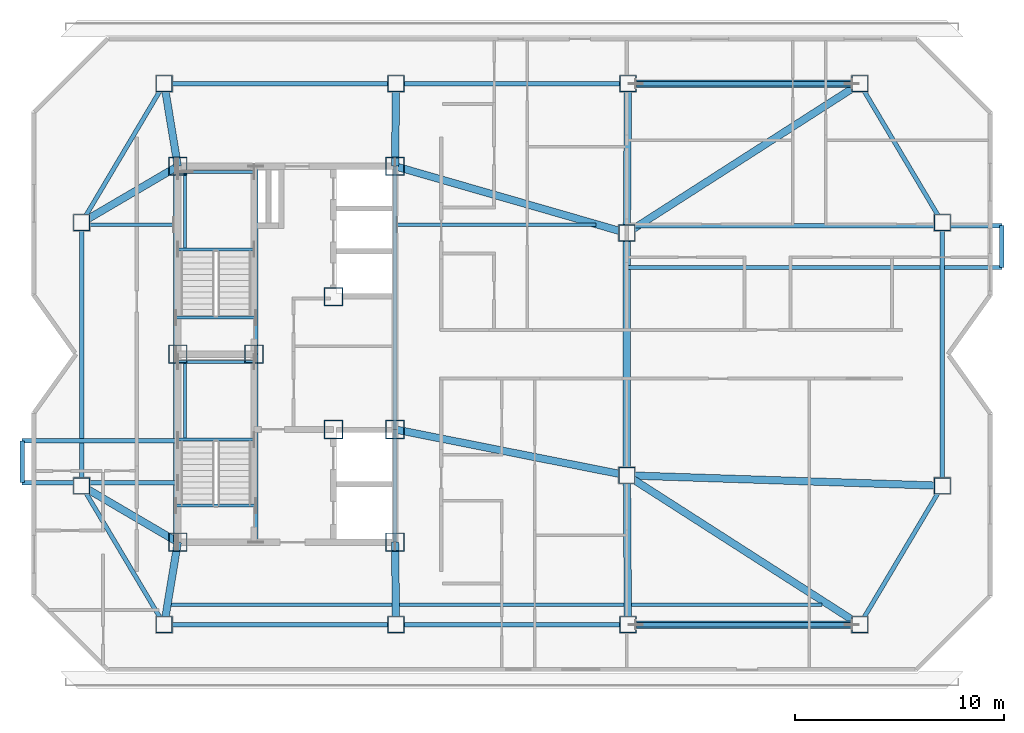
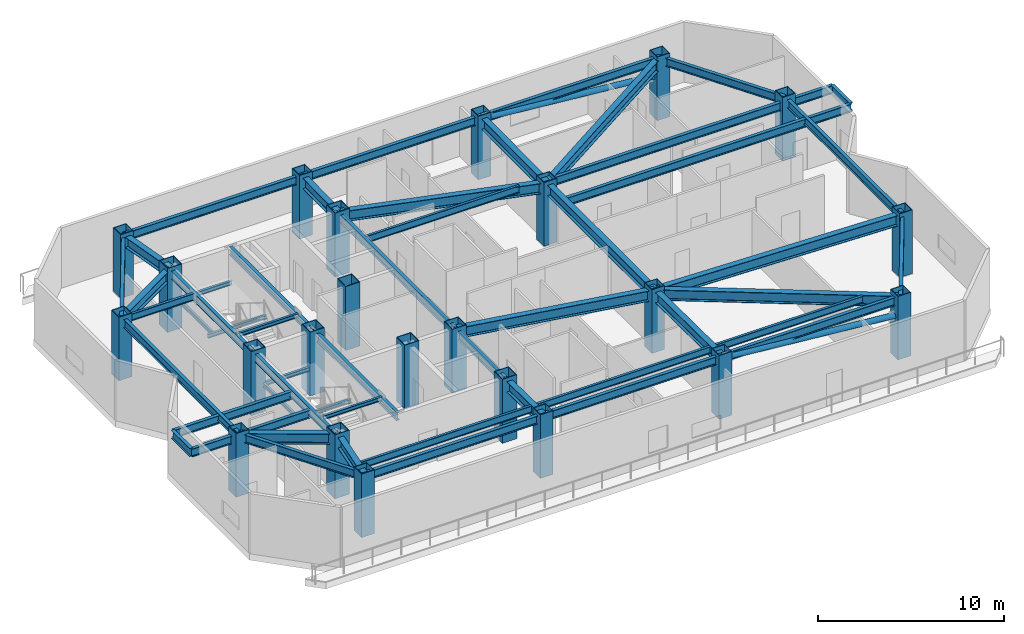
# One storey, part 1 of 11: 51 beams, 23 columns, 2 members.
"""IFC4 building model written with IfcOpenShell, lengths in metres."""

from ifc_helpers import new_model, si_unit, direction, frame, origin, origin_2d, place, context, subcontext, project, spatial, hollow_rectangle, hollow_circle, i_section, extrude, material, material_profile, profile_set, type_object, element, save


model = new_model("IFC4")

# Units and contexts
model_context = context("Model", 3, precision=1e-05, world=origin(), true_north=direction((0.0, 1.0)))
body_context = subcontext(model_context, "Body", "Model", "MODEL_VIEW")
ifc_project = project(units=[si_unit("LENGTHUNIT", "METRE"), si_unit("AREAUNIT", "SQUARE_METRE"), si_unit("VOLUMEUNIT", "CUBIC_METRE"), si_unit("PLANEANGLEUNIT", "RADIAN"), si_unit("MASSUNIT", "GRAM", prefix="KILO")], contexts=[model_context])

# Site, building, storey
site_placement = place(None, origin())
site = spatial("IfcSite", under=ifc_project, at=site_placement, CompositionType="ELEMENT")
building_placement = place(site_placement, origin())
building = spatial("IfcBuilding", under=site, at=building_placement, Name="Khamvora Tower", CompositionType="ELEMENT")
storey_placement = place(building_placement, frame((0.0, 0.0, 269.449951171875)))
storey = spatial("IfcBuildingStorey", under=building, at=storey_placement, Name="L69", CompositionType="ELEMENT", Elevation=269.449951171875)

# Columns
ifc_material_1 = material(Name="Steel S355", Category="steel")
ifc_material_profile_1 = material_profile(ifc_material_1, hollow_rectangle(XDim=0.800048828125, YDim=0.800048828125, WallThickness=0.0400390625, at=origin_2d()), Name="BOX800x800x40")
ifc_profile_set_1 = profile_set([ifc_material_profile_1], Name="Steel S355")
column_type_1 = type_object("IfcColumnType", Name="COL-BOX800", PredefinedType="COLUMN", material=ifc_profile_set_1)
for number, where, z_axis, x_axis, name in (
    (1, (28.35009765625, 15.050048828125, 0.025146484375), (0.0, 0.0, 1.0), (1.0, 0.0, 0.0), "L69 structural frame column S1"),
    (2, (39.449951171875, 15.050048828125, 0.025146484375), (0.0, 0.0, 1.0), (1.0, 0.0, 0.0), "L69 structural frame column S2"),
    (3, (50.550048828125, 15.050048828125, 0.025146484375), (0.0, 0.0, 1.0), (1.0, 0.0, 0.0), "L69 structural frame column S3"),
    (4, (61.64990234375, 15.050048828125, 0.025146484375), (0.0, 0.0, 1.0), (1.0, 0.0, 0.0), "L69 structural frame column S4"),
    (5, (28.35009765625, 40.949951171875, 0.025146484375), (0.0, 0.0, 1.0), (1.0, 0.0, 0.0), "L69 structural frame column N1"),
    (6, (39.449951171875, 40.949951171875, 0.025146484375), (0.0, 0.0, 1.0), (1.0, 0.0, 0.0), "L69 structural frame column N2"),
    (7, (50.550048828125, 40.949951171875, 0.025146484375), (0.0, 0.0, 1.0), (1.0, 0.0, 0.0), "L69 structural frame column N3"),
    (8, (61.64990234375, 40.949951171875, 0.025146484375), (0.0, 0.0, 1.0), (1.0, 0.0, 0.0), "L69 structural frame column N4"),
    (9, (24.39990234375, 21.699951171875, 0.025146484375), (0.0, 0.0, 1.0), (1.0, 0.0, 0.0), "L69 structural frame column W1"),
    (10, (24.39990234375, 34.300048828125, 0.025146484375), (0.0, 0.0, 1.0), (1.0, 0.0, 0.0), "L69 structural frame column W2"),
    (11, (65.60009765625, 21.699951171875, 0.025146484375), (0.0, 0.0, 1.0), (1.0, 0.0, 0.0), "L69 structural frame column E1"),
    (12, (65.60009765625, 34.300048828125, 0.025146484375), (0.0, 0.0, 1.0), (1.0, 0.0, 0.0), "L69 structural frame column E2"),
    (13, (50.5, 22.199951171875, 0.025146484375), (0.0, 0.0, 1.0), (1.0, 0.0, 0.0), "L69 structural frame column M1"),
    (14, (50.5, 33.800048828125, 0.025146484375), (0.0, 0.0, 1.0), (1.0, 0.0, 0.0), "L69 structural frame column M2"),
):
    element("IfcColumn", number, at=place(storey_placement, frame(where, z_axis=z_axis, x_axis=x_axis)), inside=storey, type_object=column_type_1, Name=name, PredefinedType="COLUMN", context=body_context, shape_type="SweptSolid", body=[
        extrude(hollow_rectangle(XDim=0.800048828125, YDim=0.800048828125, WallThickness=0.0400390625, at=origin_2d()), origin(), (0.0, 0.0, 1.0), 4.1748046875),
    ])
ifc_material_2 = material(Name="Structural Steel S460ML", Category="steel")
ifc_material_profile_2 = material_profile(ifc_material_2, hollow_rectangle(XDim=0.89990234375, YDim=0.89990234375, WallThickness=0.044921875, at=origin_2d()), Name="BOX900x900x45")
ifc_profile_set_2 = profile_set([ifc_material_profile_2], Name="Structural Steel S460ML")
column_type_2 = type_object("IfcColumnType", Name="COL-SC-BOX900", PredefinedType="COLUMN", material=ifc_profile_set_2)
for number, where, z_axis, x_axis, name in (
    (15, (29.0, 19.0, 0.0), (0.0, 0.0, 1.0), (1.0, 0.0, 0.0), "L69 plumb core spine column SC1"),
    (16, (32.64990234375, 28.0, 0.0), (0.0, 0.0, 1.0), (1.0, 0.0, 0.0), "L69 plumb core spine column SC2"),
    (17, (39.39990234375, 19.0, 0.0), (0.0, 0.0, 1.0), (1.0, 0.0, 0.0), "L69 plumb core spine column SC3"),
    (18, (29.0, 28.0, 0.0), (0.0, 0.0, 1.0), (1.0, 0.0, 0.0), "L69 plumb core spine column SC4"),
    (19, (36.449951171875, 24.39990234375, 0.0), (0.0, 0.0, 1.0), (1.0, 0.0, 0.0), "L69 plumb core spine column SC5"),
    (20, (39.39990234375, 24.39990234375, 0.0), (0.0, 0.0, 1.0), (1.0, 0.0, 0.0), "L69 plumb core spine column SC6"),
    (21, (29.0, 37.0, 0.0), (0.0, 0.0, 1.0), (1.0, 0.0, 0.0), "L69 plumb core spine column SC7"),
    (22, (36.449951171875, 30.75, 0.0), (0.0, 0.0, 1.0), (1.0, 0.0, 0.0), "L69 plumb core spine column SC8"),
    (23, (39.39990234375, 37.0, 0.0), (0.0, 0.0, 1.0), (1.0, 0.0, 0.0), "L69 plumb core spine column SC9"),
):
    element("IfcColumn", number, at=place(storey_placement, frame(where, z_axis=z_axis, x_axis=x_axis)), inside=storey, type_object=column_type_2, Name=name, PredefinedType="COLUMN", context=body_context, shape_type="SweptSolid", body=[
        extrude(hollow_rectangle(XDim=0.89990234375, YDim=0.89990234375, WallThickness=0.044921875, at=origin_2d()), origin(), (0.0, 0.0, 1.0), 4.199951171875),
    ])

# Beams
ifc_material_profile_3 = material_profile(ifc_material_1, i_section(OverallWidth=0.154052734375, OverallDepth=0.458984375, WebThickness=0.009033203125, FlangeThickness=0.014892578125, FilletRadius=0.011962890625, at=origin_2d()), Name="W460x68")
ifc_profile_set_3 = profile_set([ifc_material_profile_3], Name="Steel S355")
beam_type_1 = type_object("IfcBeamType", Name="BM-JS-W460x68", PredefinedType="JOIST", material=ifc_profile_set_3)
beam_1_placement = place(storey_placement, frame((28.680908203125, 16.0, 3.720947265625), z_axis=(1.0, 0.0, 0.0), x_axis=(0.0, 1.0, 0.0)))
element("IfcBeam", 24, at=beam_1_placement, inside=storey, type_object=beam_type_1, Name="L69 secondary floor joist 01", PredefinedType="JOIST", context=body_context, shape_type="SweptSolid", body=[
    extrude(i_section(OverallWidth=0.154052734375, OverallDepth=0.458984375, WebThickness=0.009033203125, FlangeThickness=0.014892578125, FilletRadius=0.011962890625, at=origin_2d()), origin(), (0.0, 0.0, 1.0), 10.583984375),
])
beam_2_placement = place(storey_placement, frame((39.610107421875, 16.0, 3.720947265625), z_axis=(1.0, 0.0, 0.0), x_axis=(0.0, 1.0, 0.0)))
element("IfcBeam", 25, at=beam_2_placement, inside=storey, type_object=beam_type_1, Name="L69 secondary floor joist 02", PredefinedType="JOIST", context=body_context, shape_type="SweptSolid", body=[
    extrude(i_section(OverallWidth=0.154052734375, OverallDepth=0.458984375, WebThickness=0.009033203125, FlangeThickness=0.014892578125, FilletRadius=0.011962890625, at=origin_2d()), origin(), (0.0, 0.0, 1.0), 10.760986328125),
])
beam_3_placement = place(storey_placement, frame((50.716064453125, 16.0, 3.720947265625), z_axis=(1.0, 0.0, 0.0), x_axis=(0.0, 1.0, 0.0)))
element("IfcBeam", 26, at=beam_3_placement, inside=storey, type_object=beam_type_1, Name="L69 secondary floor joist 03", PredefinedType="JOIST", context=body_context, shape_type="SweptSolid", body=[
    extrude(i_section(OverallWidth=0.154052734375, OverallDepth=0.458984375, WebThickness=0.009033203125, FlangeThickness=0.014892578125, FilletRadius=0.011962890625, at=origin_2d()), origin(), (0.0, 0.0, 1.0), 9.12890625),
])
beam_4_placement = place(storey_placement, frame((24.74609375, 34.199951171875, 3.720947265625), z_axis=(1.0, 0.0, 0.0), x_axis=(0.0, 1.0, 0.0)))
element("IfcBeam", 27, at=beam_4_placement, inside=storey, type_object=beam_type_1, Name="L69 secondary floor joist 04", PredefinedType="JOIST", context=body_context, shape_type="SweptSolid", body=[
    extrude(i_section(OverallWidth=0.154052734375, OverallDepth=0.458984375, WebThickness=0.009033203125, FlangeThickness=0.014892578125, FilletRadius=0.011962890625, at=origin_2d()), origin(), (0.0, 0.0, 1.0), 4.053955078125),
])
beam_5_placement = place(storey_placement, frame((39.4990234375, 34.199951171875, 3.720947265625), z_axis=(1.0, 0.0, 0.0), x_axis=(0.0, 1.0, 0.0)))
element("IfcBeam", 28, at=beam_5_placement, inside=storey, type_object=beam_type_1, Name="L69 secondary floor joist 05", PredefinedType="JOIST", context=body_context, shape_type="SweptSolid", body=[
    extrude(i_section(OverallWidth=0.154052734375, OverallDepth=0.458984375, WebThickness=0.009033203125, FlangeThickness=0.014892578125, FilletRadius=0.011962890625, at=origin_2d()), origin(), (0.0, 0.0, 1.0), 9.51806640625),
])
ifc_material_profile_4 = material_profile(ifc_material_1, i_section(OverallWidth=0.14697265625, OverallDepth=0.261962890625, WebThickness=0.007080078125, FlangeThickness=0.010986328125, FilletRadius=0.008056640625, at=origin_2d()), Name="W250x39")
ifc_profile_set_4 = profile_set([ifc_material_profile_4], Name="Steel S355")
beam_type_2 = type_object("IfcBeamType", Name="BM-LN-W250x39", PredefinedType="LINTEL", material=ifc_profile_set_4)
for number, where, z_axis, x_axis, name in (
    (29, (29.0, 23.9150390625, 1.76904296875), (1.0, 0.0, 0.0), (0.0, 1.0, 0.0), "L69 ST-01 half-landing support beam 1.1"),
    (30, (29.0, 27.6298828125, 1.76904296875), (1.0, 0.0, 0.0), (0.0, 1.0, 0.0), "L69 ST-01 half-landing support beam 1.2"),
):
    element("IfcBeam", number, at=place(storey_placement, frame(where, z_axis=z_axis, x_axis=x_axis)), inside=storey, type_object=beam_type_2, Name=name, PredefinedType="LINTEL", context=body_context, shape_type="SweptSolid", body=[
        extrude(i_section(OverallWidth=0.14697265625, OverallDepth=0.261962890625, WebThickness=0.007080078125, FlangeThickness=0.010986328125, FilletRadius=0.008056640625, at=origin_2d()), origin(), (0.0, 0.0, 1.0), 3.64990234375),
    ])
beam_6_placement = place(storey_placement, frame((29.35009765625, 23.9150390625, 1.76904296875), z_axis=(0.0, 1.0, 0.0), x_axis=(-1.0, 0.0, 0.0)))
element("IfcBeam", 31, at=beam_6_placement, inside=storey, type_object=beam_type_2, Name="L69 ST-01 half-landing edge stringer 1", PredefinedType="LINTEL", context=body_context, shape_type="SweptSolid", body=[
    extrude(i_section(OverallWidth=0.14697265625, OverallDepth=0.261962890625, WebThickness=0.007080078125, FlangeThickness=0.010986328125, FilletRadius=0.008056640625, at=origin_2d()), origin(), (0.0, 0.0, 1.0), 3.71484375),
])
for number, where, z_axis, x_axis, name in (
    (32, (29.0, 33.014892578125, 1.76904296875), (1.0, 0.0, 0.0), (0.0, 1.0, 0.0), "L69 ST-02 half-landing support beam 1.1"),
    (33, (29.0, 36.72998046875, 1.76904296875), (1.0, 0.0, 0.0), (0.0, 1.0, 0.0), "L69 ST-02 half-landing support beam 1.2"),
):
    element("IfcBeam", number, at=place(storey_placement, frame(where, z_axis=z_axis, x_axis=x_axis)), inside=storey, type_object=beam_type_2, Name=name, PredefinedType="LINTEL", context=body_context, shape_type="SweptSolid", body=[
        extrude(i_section(OverallWidth=0.14697265625, OverallDepth=0.261962890625, WebThickness=0.007080078125, FlangeThickness=0.010986328125, FilletRadius=0.008056640625, at=origin_2d()), origin(), (0.0, 0.0, 1.0), 3.64990234375),
    ])
beam_7_placement = place(storey_placement, frame((29.35009765625, 33.014892578125, 1.76904296875), z_axis=(0.0, 1.0, 0.0), x_axis=(-1.0, 0.0, 0.0)))
element("IfcBeam", 34, at=beam_7_placement, inside=storey, type_object=beam_type_2, Name="L69 ST-02 half-landing edge stringer 1", PredefinedType="LINTEL", context=body_context, shape_type="SweptSolid", body=[
    extrude(i_section(OverallWidth=0.14697265625, OverallDepth=0.261962890625, WebThickness=0.007080078125, FlangeThickness=0.010986328125, FilletRadius=0.008056640625, at=origin_2d()), origin(), (0.0, 0.0, 1.0), 3.715087890625),
])
for number, where, z_axis, x_axis, name in (
    (35, (28.89990234375, 20.75, 3.823974609375), (1.0, 0.0, 0.0), (0.0, 1.0, 0.0), "L69 exit stair ST-01 landing trimmer beam"),
    (36, (28.89990234375, 29.75, 3.823974609375), (1.0, 0.0, 0.0), (0.0, 1.0, 0.0), "L69 exit stair ST-02 landing trimmer beam"),
):
    element("IfcBeam", number, at=place(storey_placement, frame(where, z_axis=z_axis, x_axis=x_axis)), inside=storey, type_object=beam_type_2, Name=name, PredefinedType="LINTEL", context=body_context, shape_type="SweptSolid", body=[
        extrude(i_section(OverallWidth=0.14697265625, OverallDepth=0.261962890625, WebThickness=0.007080078125, FlangeThickness=0.010986328125, FilletRadius=0.008056640625, at=origin_2d()), origin(), (0.0, 0.0, 1.0), 3.830078125),
    ])
ifc_material_profile_5 = material_profile(ifc_material_1, i_section(OverallWidth=0.35498046875, OverallDepth=0.695068359375, WebThickness=0.014892578125, FlangeThickness=0.02490234375, FilletRadius=0.01611328125, at=origin_2d()), Name="W690x217")
ifc_profile_set_5 = profile_set([ifc_material_profile_5], Name="Steel S355")
beam_type_3 = type_object("IfcBeamType", Name="BM-PG-W690x217", PredefinedType="BEAM", material=ifc_profile_set_5)
beam_8_placement = place(storey_placement, frame((50.5, 22.199951171875, 3.60205078125), z_axis=(0.0, 1.0, 0.0), x_axis=(-1.0, 0.0, 0.0)))
element("IfcBeam", 37, at=beam_8_placement, inside=storey, type_object=beam_type_3, Name="L69 longitudinal frame girder M1-M2", PredefinedType="BEAM", context=body_context, shape_type="SweptSolid", body=[
    extrude(i_section(OverallWidth=0.35498046875, OverallDepth=0.695068359375, WebThickness=0.014892578125, FlangeThickness=0.02490234375, FilletRadius=0.01611328125, at=origin_2d()), origin(), (0.0, 0.0, 1.0), 11.60009765625),
])
beam_9_placement = place(storey_placement, frame((29.0, 19.0, 3.60205078125), z_axis=(-0.162351397496, -0.986733005291, 0.0), x_axis=(0.986733005291, -0.162351397496, 0.0)))
element("IfcBeam", 38, at=beam_9_placement, inside=storey, type_object=beam_type_3, Name="L69 primary floor girder S1", PredefinedType="BEAM", context=body_context, shape_type="SweptSolid", body=[
    extrude(i_section(OverallWidth=0.35498046875, OverallDepth=0.695068359375, WebThickness=0.014892578125, FlangeThickness=0.02490234375, FilletRadius=0.01611328125, at=origin_2d()), origin(), (0.0, 0.0, 1.0), 4.003173828125),
])
beam_10_placement = place(storey_placement, frame((39.39990234375, 19.0, 3.60205078125), z_axis=(0.012669729021, -0.999919735762, 0.0), x_axis=(0.999919735762, 0.012669729021, 0.0)))
element("IfcBeam", 39, at=beam_10_placement, inside=storey, type_object=beam_type_3, Name="L69 primary floor girder S2", PredefinedType="BEAM", context=body_context, shape_type="SweptSolid", body=[
    extrude(i_section(OverallWidth=0.35498046875, OverallDepth=0.695068359375, WebThickness=0.014892578125, FlangeThickness=0.02490234375, FilletRadius=0.01611328125, at=origin_2d()), origin(), (0.0, 0.0, 1.0), 3.9501953125),
])
beam_11_placement = place(storey_placement, frame((50.5, 22.199951171875, 3.60205078125), z_axis=(0.006999760219, -0.999975501378, 0.0), x_axis=(0.999975501378, 0.006999760219, 0.0)))
element("IfcBeam", 40, at=beam_11_placement, inside=storey, type_object=beam_type_3, Name="L69 primary floor girder S3", PredefinedType="BEAM", context=body_context, shape_type="SweptSolid", body=[
    extrude(i_section(OverallWidth=0.35498046875, OverallDepth=0.695068359375, WebThickness=0.014892578125, FlangeThickness=0.02490234375, FilletRadius=0.01611328125, at=origin_2d()), origin(), (0.0, 0.0, 1.0), 7.150146484375),
])
beam_12_placement = place(storey_placement, frame((50.5, 22.199951171875, 3.60205078125), z_axis=(0.841792378856, -0.539801436549, 0.0), x_axis=(0.539801436549, 0.841792378856, 0.0)))
element("IfcBeam", 41, at=beam_12_placement, inside=storey, type_object=beam_type_3, Name="L69 primary floor girder S4", PredefinedType="BEAM", context=body_context, shape_type="SweptSolid", body=[
    extrude(i_section(OverallWidth=0.35498046875, OverallDepth=0.695068359375, WebThickness=0.014892578125, FlangeThickness=0.02490234375, FilletRadius=0.01611328125, at=origin_2d()), origin(), (0.0, 0.0, 1.0), 13.245361328125),
])
beam_13_placement = place(storey_placement, frame((29.0, 37.0, 3.60205078125), z_axis=(-0.162351397496, 0.986733005291, 0.0), x_axis=(-0.986733005291, -0.162351397496, 0.0)))
element("IfcBeam", 42, at=beam_13_placement, inside=storey, type_object=beam_type_3, Name="L69 primary floor girder N1", PredefinedType="BEAM", context=body_context, shape_type="SweptSolid", body=[
    extrude(i_section(OverallWidth=0.35498046875, OverallDepth=0.695068359375, WebThickness=0.014892578125, FlangeThickness=0.02490234375, FilletRadius=0.01611328125, at=origin_2d()), origin(), (0.0, 0.0, 1.0), 4.003173828125),
])
beam_14_placement = place(storey_placement, frame((39.39990234375, 37.0, 3.60205078125), z_axis=(0.012669729021, 0.999919735762, 0.0), x_axis=(-0.999919735762, 0.012669729021, 0.0)))
element("IfcBeam", 43, at=beam_14_placement, inside=storey, type_object=beam_type_3, Name="L69 primary floor girder N2", PredefinedType="BEAM", context=body_context, shape_type="SweptSolid", body=[
    extrude(i_section(OverallWidth=0.35498046875, OverallDepth=0.695068359375, WebThickness=0.014892578125, FlangeThickness=0.02490234375, FilletRadius=0.01611328125, at=origin_2d()), origin(), (0.0, 0.0, 1.0), 3.9501953125),
])
beam_15_placement = place(storey_placement, frame((50.5, 33.800048828125, 3.60205078125), z_axis=(0.006999760219, 0.999975501378, 0.0), x_axis=(-0.999975501378, 0.006999760219, 0.0)))
element("IfcBeam", 44, at=beam_15_placement, inside=storey, type_object=beam_type_3, Name="L69 primary floor girder N3", PredefinedType="BEAM", context=body_context, shape_type="SweptSolid", body=[
    extrude(i_section(OverallWidth=0.35498046875, OverallDepth=0.695068359375, WebThickness=0.014892578125, FlangeThickness=0.02490234375, FilletRadius=0.01611328125, at=origin_2d()), origin(), (0.0, 0.0, 1.0), 7.150146484375),
])
beam_16_placement = place(storey_placement, frame((50.5, 33.800048828125, 3.60205078125), z_axis=(0.841792378856, 0.539801436549, 0.0), x_axis=(-0.539801436549, 0.841792378856, 0.0)))
element("IfcBeam", 45, at=beam_16_placement, inside=storey, type_object=beam_type_3, Name="L69 primary floor girder N4", PredefinedType="BEAM", context=body_context, shape_type="SweptSolid", body=[
    extrude(i_section(OverallWidth=0.35498046875, OverallDepth=0.695068359375, WebThickness=0.014892578125, FlangeThickness=0.02490234375, FilletRadius=0.01611328125, at=origin_2d()), origin(), (0.0, 0.0, 1.0), 13.245361328125),
])
for number, where, z_axis, x_axis, name in (
    (46, (29.0, 19.0, 3.60205078125), (-0.862424471408, 0.506185767398, 0.0), (-0.506185767398, -0.862424471408, 0.0), "L69 primary floor girder W1"),
    (47, (29.0, 37.0, 3.60205078125), (-0.862424471408, -0.506185767398, 0.0), (0.506185767398, -0.862424471408, 0.0), "L69 primary floor girder W2"),
):
    element("IfcBeam", number, at=place(storey_placement, frame(where, z_axis=z_axis, x_axis=x_axis)), inside=storey, type_object=beam_type_3, Name=name, PredefinedType="BEAM", context=body_context, shape_type="SweptSolid", body=[
        extrude(i_section(OverallWidth=0.35498046875, OverallDepth=0.695068359375, WebThickness=0.014892578125, FlangeThickness=0.02490234375, FilletRadius=0.01611328125, at=origin_2d()), origin(), (0.0, 0.0, 1.0), 5.333984375),
    ])
beam_17_placement = place(storey_placement, frame((50.5, 22.199951171875, 3.60205078125), z_axis=(0.999452235919, -0.033094230868, 0.0), x_axis=(0.033094230868, 0.999452235919, 0.0)))
element("IfcBeam", 48, at=beam_17_placement, inside=storey, type_object=beam_type_3, Name="L69 primary floor girder E1", PredefinedType="BEAM", context=body_context, shape_type="SweptSolid", body=[
    extrude(i_section(OverallWidth=0.35498046875, OverallDepth=0.695068359375, WebThickness=0.014892578125, FlangeThickness=0.02490234375, FilletRadius=0.01611328125, at=origin_2d()), origin(), (0.0, 0.0, 1.0), 15.1083984375),
])
beam_18_placement = place(storey_placement, frame((39.39990234375, 24.39990234375, 3.60205078125), z_axis=(0.980920240909, -0.194410598927, 0.0), x_axis=(0.194410598927, 0.980920240909, 0.0)))
element("IfcBeam", 49, at=beam_18_placement, inside=storey, type_object=beam_type_3, Name="L69 primary floor girder M1", PredefinedType="BEAM", context=body_context, shape_type="SweptSolid", body=[
    extrude(i_section(OverallWidth=0.35498046875, OverallDepth=0.695068359375, WebThickness=0.014892578125, FlangeThickness=0.02490234375, FilletRadius=0.01611328125, at=origin_2d()), origin(), (0.0, 0.0, 1.0), 11.31591796875),
])
beam_19_placement = place(storey_placement, frame((39.39990234375, 37.0, 3.60205078125), z_axis=(0.960869684076, -0.277000812677, 0.0), x_axis=(0.277000812677, 0.960869684076, 0.0)))
element("IfcBeam", 50, at=beam_19_placement, inside=storey, type_object=beam_type_3, Name="L69 primary floor girder M2", PredefinedType="BEAM", context=body_context, shape_type="SweptSolid", body=[
    extrude(i_section(OverallWidth=0.35498046875, OverallDepth=0.695068359375, WebThickness=0.014892578125, FlangeThickness=0.02490234375, FilletRadius=0.01611328125, at=origin_2d()), origin(), (0.0, 0.0, 1.0), 11.55224609375),
])
ifc_material_profile_6 = material_profile(ifc_material_1, i_section(OverallWidth=0.208984375, OverallDepth=0.532958984375, WebThickness=0.010009765625, FlangeThickness=0.01611328125, FilletRadius=0.013916015625, at=origin_2d()), Name="W530x92")
ifc_profile_set_6 = profile_set([ifc_material_profile_6], Name="Steel S355")
beam_type_4 = type_object("IfcBeamType", Name="BM-SP-W530x92", PredefinedType="SPANDREL", material=ifc_profile_set_6)
beam_20_placement = place(storey_placement, frame((24.39990234375, 21.699951171875, 3.68310546875), z_axis=(0.510712313878, -0.859751669061, 0.0), x_axis=(0.859751669061, 0.510712313878, 0.0)))
element("IfcBeam", 51, at=beam_20_placement, inside=storey, type_object=beam_type_4, Name="L69 perimeter spandrel beam W1-S1", PredefinedType="SPANDREL", context=body_context, shape_type="SweptSolid", body=[
    extrude(i_section(OverallWidth=0.208984375, OverallDepth=0.532958984375, WebThickness=0.010009765625, FlangeThickness=0.01611328125, FilletRadius=0.013916015625, at=origin_2d()), origin(), (0.0, 0.0, 1.0), 7.734619140625),
])
beam_21_placement = place(storey_placement, frame((28.35009765625, 15.050048828125, 3.68310546875), z_axis=(1.0, 0.0, 0.0), x_axis=(0.0, 1.0, 0.0)))
element("IfcBeam", 52, at=beam_21_placement, inside=storey, type_object=beam_type_4, Name="L69 perimeter spandrel beam S1-S2", PredefinedType="SPANDREL", context=body_context, shape_type="SweptSolid", body=[
    extrude(i_section(OverallWidth=0.208984375, OverallDepth=0.532958984375, WebThickness=0.010009765625, FlangeThickness=0.01611328125, FilletRadius=0.013916015625, at=origin_2d()), origin(), (0.0, 0.0, 1.0), 11.099853515625),
])
beam_22_placement = place(storey_placement, frame((39.449951171875, 15.050048828125, 3.68310546875), z_axis=(1.0, 0.0, 0.0), x_axis=(0.0, 1.0, 0.0)))
element("IfcBeam", 53, at=beam_22_placement, inside=storey, type_object=beam_type_4, Name="L69 perimeter spandrel beam S2-S3", PredefinedType="SPANDREL", context=body_context, shape_type="SweptSolid", body=[
    extrude(i_section(OverallWidth=0.208984375, OverallDepth=0.532958984375, WebThickness=0.010009765625, FlangeThickness=0.01611328125, FilletRadius=0.013916015625, at=origin_2d()), origin(), (0.0, 0.0, 1.0), 11.10009765625),
])
beam_23_placement = place(storey_placement, frame((50.550048828125, 15.050048828125, 3.68310546875), z_axis=(1.0, 0.0, 0.0), x_axis=(0.0, 1.0, 0.0)))
element("IfcBeam", 54, at=beam_23_placement, inside=storey, type_object=beam_type_4, Name="L69 perimeter spandrel beam S3-S4", PredefinedType="SPANDREL", context=body_context, shape_type="SweptSolid", body=[
    extrude(i_section(OverallWidth=0.208984375, OverallDepth=0.532958984375, WebThickness=0.010009765625, FlangeThickness=0.01611328125, FilletRadius=0.013916015625, at=origin_2d()), origin(), (0.0, 0.0, 1.0), 11.099853515625),
])
beam_24_placement = place(storey_placement, frame((61.64990234375, 15.050048828125, 3.68310546875), z_axis=(0.510712313878, 0.859751669061, 0.0), x_axis=(-0.859751669061, 0.510712313878, 0.0)))
element("IfcBeam", 55, at=beam_24_placement, inside=storey, type_object=beam_type_4, Name="L69 perimeter spandrel beam S4-E1", PredefinedType="SPANDREL", context=body_context, shape_type="SweptSolid", body=[
    extrude(i_section(OverallWidth=0.208984375, OverallDepth=0.532958984375, WebThickness=0.010009765625, FlangeThickness=0.01611328125, FilletRadius=0.013916015625, at=origin_2d()), origin(), (0.0, 0.0, 1.0), 7.734619140625),
])
beam_25_placement = place(storey_placement, frame((65.60009765625, 21.699951171875, 3.68310546875), z_axis=(0.0, 1.0, 0.0), x_axis=(-1.0, 0.0, 0.0)))
element("IfcBeam", 56, at=beam_25_placement, inside=storey, type_object=beam_type_4, Name="L69 perimeter spandrel beam E1-E2", PredefinedType="SPANDREL", context=body_context, shape_type="SweptSolid", body=[
    extrude(i_section(OverallWidth=0.208984375, OverallDepth=0.532958984375, WebThickness=0.010009765625, FlangeThickness=0.01611328125, FilletRadius=0.013916015625, at=origin_2d()), origin(), (0.0, 0.0, 1.0), 12.60009765625),
])
beam_26_placement = place(storey_placement, frame((65.60009765625, 34.300048828125, 3.68310546875), z_axis=(-0.510712313878, 0.859751669061, 0.0), x_axis=(-0.859751669061, -0.510712313878, 0.0)))
element("IfcBeam", 57, at=beam_26_placement, inside=storey, type_object=beam_type_4, Name="L69 perimeter spandrel beam E2-N4", PredefinedType="SPANDREL", context=body_context, shape_type="SweptSolid", body=[
    extrude(i_section(OverallWidth=0.208984375, OverallDepth=0.532958984375, WebThickness=0.010009765625, FlangeThickness=0.01611328125, FilletRadius=0.013916015625, at=origin_2d()), origin(), (0.0, 0.0, 1.0), 7.734619140625),
])
beam_27_placement = place(storey_placement, frame((61.64990234375, 40.949951171875, 3.68310546875), z_axis=(-1.0, 0.0, 0.0), x_axis=(0.0, -1.0, 0.0)))
element("IfcBeam", 58, at=beam_27_placement, inside=storey, type_object=beam_type_4, Name="L69 perimeter spandrel beam N4-N3", PredefinedType="SPANDREL", context=body_context, shape_type="SweptSolid", body=[
    extrude(i_section(OverallWidth=0.208984375, OverallDepth=0.532958984375, WebThickness=0.010009765625, FlangeThickness=0.01611328125, FilletRadius=0.013916015625, at=origin_2d()), origin(), (0.0, 0.0, 1.0), 11.099853515625),
])
beam_28_placement = place(storey_placement, frame((50.550048828125, 40.949951171875, 3.68310546875), z_axis=(-1.0, 0.0, 0.0), x_axis=(0.0, -1.0, 0.0)))
element("IfcBeam", 59, at=beam_28_placement, inside=storey, type_object=beam_type_4, Name="L69 perimeter spandrel beam N3-N2", PredefinedType="SPANDREL", context=body_context, shape_type="SweptSolid", body=[
    extrude(i_section(OverallWidth=0.208984375, OverallDepth=0.532958984375, WebThickness=0.010009765625, FlangeThickness=0.01611328125, FilletRadius=0.013916015625, at=origin_2d()), origin(), (0.0, 0.0, 1.0), 11.10009765625),
])
beam_29_placement = place(storey_placement, frame((39.449951171875, 40.949951171875, 3.68310546875), z_axis=(-1.0, 0.0, 0.0), x_axis=(0.0, -1.0, 0.0)))
element("IfcBeam", 60, at=beam_29_placement, inside=storey, type_object=beam_type_4, Name="L69 perimeter spandrel beam N2-N1", PredefinedType="SPANDREL", context=body_context, shape_type="SweptSolid", body=[
    extrude(i_section(OverallWidth=0.208984375, OverallDepth=0.532958984375, WebThickness=0.010009765625, FlangeThickness=0.01611328125, FilletRadius=0.013916015625, at=origin_2d()), origin(), (0.0, 0.0, 1.0), 11.099853515625),
])
beam_30_placement = place(storey_placement, frame((28.35009765625, 40.949951171875, 3.68310546875), z_axis=(-0.510712313878, -0.859751669061, 0.0), x_axis=(0.859751669061, -0.510712313878, 0.0)))
element("IfcBeam", 61, at=beam_30_placement, inside=storey, type_object=beam_type_4, Name="L69 perimeter spandrel beam N1-W2", PredefinedType="SPANDREL", context=body_context, shape_type="SweptSolid", body=[
    extrude(i_section(OverallWidth=0.208984375, OverallDepth=0.532958984375, WebThickness=0.010009765625, FlangeThickness=0.01611328125, FilletRadius=0.013916015625, at=origin_2d()), origin(), (0.0, 0.0, 1.0), 7.734619140625),
])
beam_31_placement = place(storey_placement, frame((24.39990234375, 34.300048828125, 3.68310546875), z_axis=(0.0, -1.0, 0.0), x_axis=(1.0, 0.0, 0.0)))
element("IfcBeam", 62, at=beam_31_placement, inside=storey, type_object=beam_type_4, Name="L69 perimeter spandrel beam W2-W1", PredefinedType="SPANDREL", context=body_context, shape_type="SweptSolid", body=[
    extrude(i_section(OverallWidth=0.208984375, OverallDepth=0.532958984375, WebThickness=0.010009765625, FlangeThickness=0.01611328125, FilletRadius=0.013916015625, at=origin_2d()), origin(), (0.0, 0.0, 1.0), 12.60009765625),
])
for number, where, z_axis, x_axis, name in (
    (63, (28.89990234375, 19.0, 3.68310546875), (0.0, 1.0, 0.0), (-1.0, 0.0, 0.0), "L69 core spine girder WS"),
    (64, (28.89990234375, 28.0, 3.68310546875), (0.0, 1.0, 0.0), (-1.0, 0.0, 0.0), "L69 core spine girder WN"),
    (65, (32.72998046875, 19.0, 3.68310546875), (0.0, 1.0, 0.0), (-1.0, 0.0, 0.0), "L69 core spine girder M1S"),
    (66, (32.72998046875, 28.0, 3.68310546875), (0.0, 1.0, 0.0), (-1.0, 0.0, 0.0), "L69 core spine girder M1N"),
):
    element("IfcBeam", number, at=place(storey_placement, frame(where, z_axis=z_axis, x_axis=x_axis)), inside=storey, type_object=beam_type_4, Name=name, PredefinedType="SPANDREL", context=body_context, shape_type="SweptSolid", body=[
        extrude(i_section(OverallWidth=0.208984375, OverallDepth=0.532958984375, WebThickness=0.010009765625, FlangeThickness=0.01611328125, FilletRadius=0.013916015625, at=origin_2d()), origin(), (0.0, 0.0, 1.0), 9.0),
    ])
beam_32_placement = place(storey_placement, frame((39.39990234375, 19.0, 3.68310546875), z_axis=(0.0, 1.0, 0.0), x_axis=(-1.0, 0.0, 0.0)))
element("IfcBeam", 67, at=beam_32_placement, inside=storey, type_object=beam_type_4, Name="L69 core spine girder ES", PredefinedType="SPANDREL", context=body_context, shape_type="SweptSolid", body=[
    extrude(i_section(OverallWidth=0.208984375, OverallDepth=0.532958984375, WebThickness=0.010009765625, FlangeThickness=0.01611328125, FilletRadius=0.013916015625, at=origin_2d()), origin(), (0.0, 0.0, 1.0), 5.39990234375),
])
beam_33_placement = place(storey_placement, frame((39.39990234375, 24.39990234375, 3.68310546875), z_axis=(0.0, 1.0, 0.0), x_axis=(-1.0, 0.0, 0.0)))
element("IfcBeam", 68, at=beam_33_placement, inside=storey, type_object=beam_type_4, Name="L69 core spine girder EN", PredefinedType="SPANDREL", context=body_context, shape_type="SweptSolid", body=[
    extrude(i_section(OverallWidth=0.208984375, OverallDepth=0.532958984375, WebThickness=0.010009765625, FlangeThickness=0.01611328125, FilletRadius=0.013916015625, at=origin_2d()), origin(), (0.0, 0.0, 1.0), 12.60009765625),
])
for number, where, z_axis, x_axis, name in (
    (69, (50.5, 32.14990234375, 3.51416015625), (1.0, 0.0, 0.0), (0.0, 1.0, 0.0), "L69 continuous gallery cantilever girder L70-EL2-1"),
    (70, (50.5, 34.14990234375, 3.51416015625), (1.0, 0.0, 0.0), (0.0, 1.0, 0.0), "L69 continuous gallery cantilever girder L70-EL2-2"),
):
    element("IfcBeam", number, at=place(storey_placement, frame(where, z_axis=z_axis, x_axis=x_axis)), inside=storey, type_object=beam_type_4, Name=name, PredefinedType="SPANDREL", context=body_context, shape_type="SweptSolid", body=[
        extrude(i_section(OverallWidth=0.208984375, OverallDepth=0.532958984375, WebThickness=0.010009765625, FlangeThickness=0.01611328125, FilletRadius=0.013916015625, at=origin_2d()), origin(), (0.0, 0.0, 1.0), 17.949951171875),
    ])
beam_34_placement = place(storey_placement, frame((68.449951171875, 32.14990234375, 3.51416015625), z_axis=(0.0, 1.0, 0.0), x_axis=(-1.0, 0.0, 0.0)))
element("IfcBeam", 71, at=beam_34_placement, inside=storey, type_object=beam_type_4, Name="L69 external gallery edge header beam L70-EL2", PredefinedType="SPANDREL", context=body_context, shape_type="SweptSolid", body=[
    extrude(i_section(OverallWidth=0.208984375, OverallDepth=0.532958984375, WebThickness=0.010009765625, FlangeThickness=0.01611328125, FilletRadius=0.013916015625, at=origin_2d()), origin(), (0.0, 0.0, 1.0), 2.0),
])
for number, where, z_axis, x_axis, name in (
    (72, (29.0, 21.85009765625, 3.51416015625), (-1.0, 0.0, 0.0), (0.0, -1.0, 0.0), "L69 continuous gallery cantilever girder L70-WL1-1"),
    (73, (29.0, 23.85009765625, 3.51416015625), (-1.0, 0.0, 0.0), (0.0, -1.0, 0.0), "L69 continuous gallery cantilever girder L70-WL1-2"),
):
    element("IfcBeam", number, at=place(storey_placement, frame(where, z_axis=z_axis, x_axis=x_axis)), inside=storey, type_object=beam_type_4, Name=name, PredefinedType="SPANDREL", context=body_context, shape_type="SweptSolid", body=[
        extrude(i_section(OverallWidth=0.208984375, OverallDepth=0.532958984375, WebThickness=0.010009765625, FlangeThickness=0.01611328125, FilletRadius=0.013916015625, at=origin_2d()), origin(), (0.0, 0.0, 1.0), 7.449951171875),
    ])
beam_35_placement = place(storey_placement, frame((21.550048828125, 21.85009765625, 3.51416015625), z_axis=(0.0, 1.0, 0.0), x_axis=(-1.0, 0.0, 0.0)))
element("IfcBeam", 74, at=beam_35_placement, inside=storey, type_object=beam_type_4, Name="L69 external gallery edge header beam L70-WL1", PredefinedType="SPANDREL", context=body_context, shape_type="SweptSolid", body=[
    extrude(i_section(OverallWidth=0.208984375, OverallDepth=0.532958984375, WebThickness=0.010009765625, FlangeThickness=0.01611328125, FilletRadius=0.013916015625, at=origin_2d()), origin(), (0.0, 0.0, 1.0), 2.0),
])

# Members
ifc_material_profile_7 = material_profile(ifc_material_1, hollow_circle(Radius=0.177978515625, WallThickness=0.013916015625, at=origin_2d()), Name="CHS356x14")
ifc_profile_set_7 = profile_set([ifc_material_profile_7], Name="Steel S355")
member_type = type_object("IfcMemberType", Name="MEM-BR-CHS356", PredefinedType="BRACE", material=ifc_profile_set_7)
for number, where, z_axis, x_axis, name in (
    (75, (61.27197265625, 15.050048828125, 2.714111328125), (-0.995939126906, 0.0, 0.090029192477), (0.0, -1.0, 0.0), "L69 perimeter wind brace 1"),
    (76, (61.27197265625, 40.949951171875, 2.714111328125), (-0.995939126906, 0.0, 0.090029192477), (0.0, -1.0, 0.0), "L69 perimeter wind brace 2"),
):
    element("IfcMember", number, at=place(storey_placement, frame(where, z_axis=z_axis, x_axis=x_axis)), inside=storey, type_object=member_type, Name=name, PredefinedType="BRACE", context=body_context, shape_type="SweptSolid", body=[
        extrude(hollow_circle(Radius=0.177978515625, WallThickness=0.013916015625, at=origin_2d()), origin(), (0.0, 0.0, 1.0), 10.38623046875),
    ])

save(model, "model.ifc")
